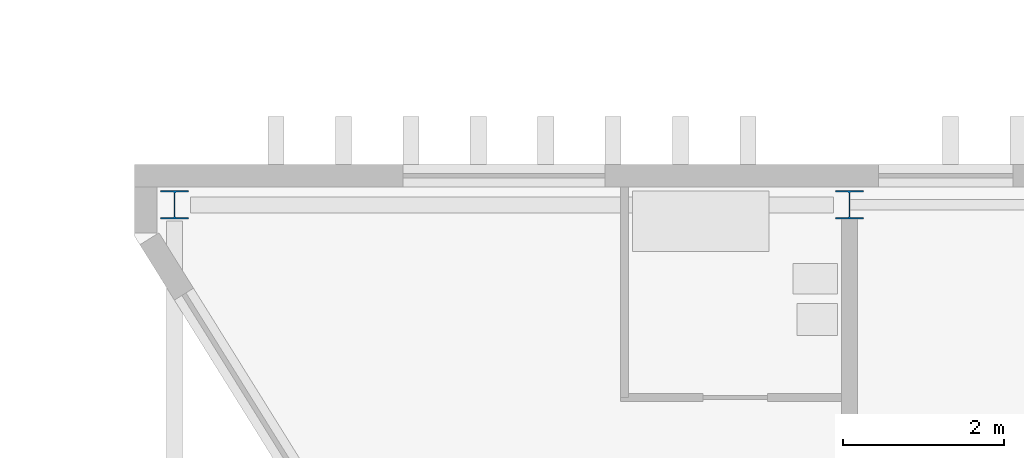
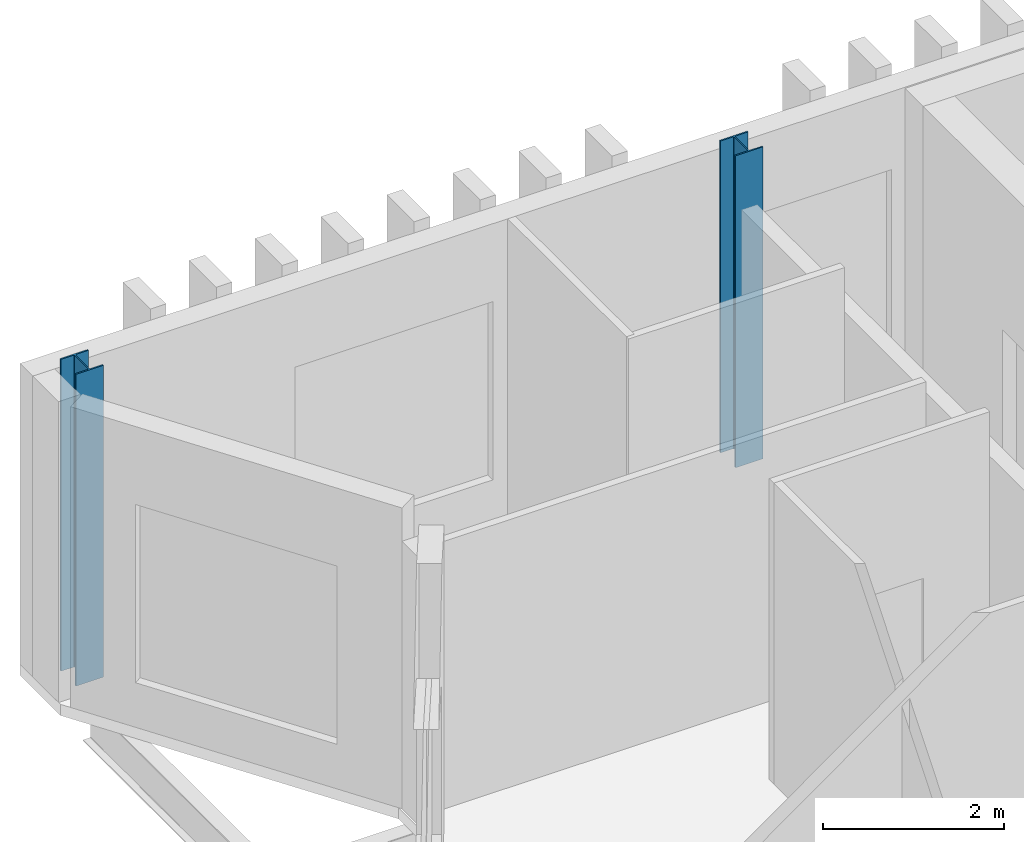
# One storey, part 3 of 11: 2 columns.
"""IFC4 building model written with IfcOpenShell, lengths in metres."""

from ifc_helpers import new_model, si_unit, direction, frame, origin, origin_2d, place, context, subcontext, project, spatial, i_section, extrude, material, material_profile, profile_set, type_object, element, save


model = new_model("IFC4")

# Units and contexts
model_context = context("Model", 3, precision=1e-05, world=origin(), true_north=direction((0.0, 1.0)))
body_context = subcontext(model_context, "Body", "Model", "MODEL_VIEW")
ifc_project = project(units=[si_unit("LENGTHUNIT", "METRE"), si_unit("AREAUNIT", "SQUARE_METRE"), si_unit("VOLUMEUNIT", "CUBIC_METRE"), si_unit("PLANEANGLEUNIT", "RADIAN"), si_unit("MASSUNIT", "GRAM", prefix="KILO")], contexts=[model_context])

# Site, building, storey
site_placement = place(None, origin())
site = spatial("IfcSite", under=ifc_project, at=site_placement, CompositionType="ELEMENT")
building_placement = place(site_placement, origin())
building = spatial("IfcBuilding", under=site, at=building_placement, Name="Cresset Court Congress Hotel", CompositionType="ELEMENT")
storey_placement = place(building_placement, frame((0.0, 0.0, 39.60009765625)))
storey = spatial("IfcBuildingStorey", under=building, at=storey_placement, Name="L09", CompositionType="ELEMENT", Elevation=39.60009765625)

# Columns
ifc_material = material(Name="Structural steel Q355B", Category="steel")
ifc_material_profile = material_profile(ifc_material, i_section(OverallWidth=0.35009765625, OverallDepth=0.35009765625, WebThickness=0.011962890625, FlangeThickness=0.01904296875, FilletRadius=0.012939453125, at=origin_2d()), Name="HW350x350x12x19")
ifc_profile_set = profile_set([ifc_material_profile], Name="Structural steel Q355B")
column_type = type_object("IfcColumnType", Name="Steel column HW350x350x12x19", PredefinedType="COLUMN", material=ifc_profile_set)
for number, where, z_axis, x_axis, name in (
    (1, (157.199951171875, 67.199951171875, 0.0), (0.0, 0.0, 1.0), (1.0, 0.0, 0.0), "Column L09 9-20"),
    (2, (165.60009765625, 67.199951171875, 0.0), (0.0, 0.0, 1.0), (1.0, 0.0, 0.0), "Column L09 9-21"),
):
    element("IfcColumn", number, at=place(storey_placement, frame(where, z_axis=z_axis, x_axis=x_axis)), inside=storey, type_object=column_type, Name=name, PredefinedType="COLUMN", context=body_context, shape_type="SweptSolid", body=[
        extrude(i_section(OverallWidth=0.35009765625, OverallDepth=0.35009765625, WebThickness=0.011962890625, FlangeThickness=0.01904296875, FilletRadius=0.012939453125, at=origin_2d()), origin(), (0.0, 0.0, 1.0), 4.199951171875),
    ])

save(model, "model.ifc")
